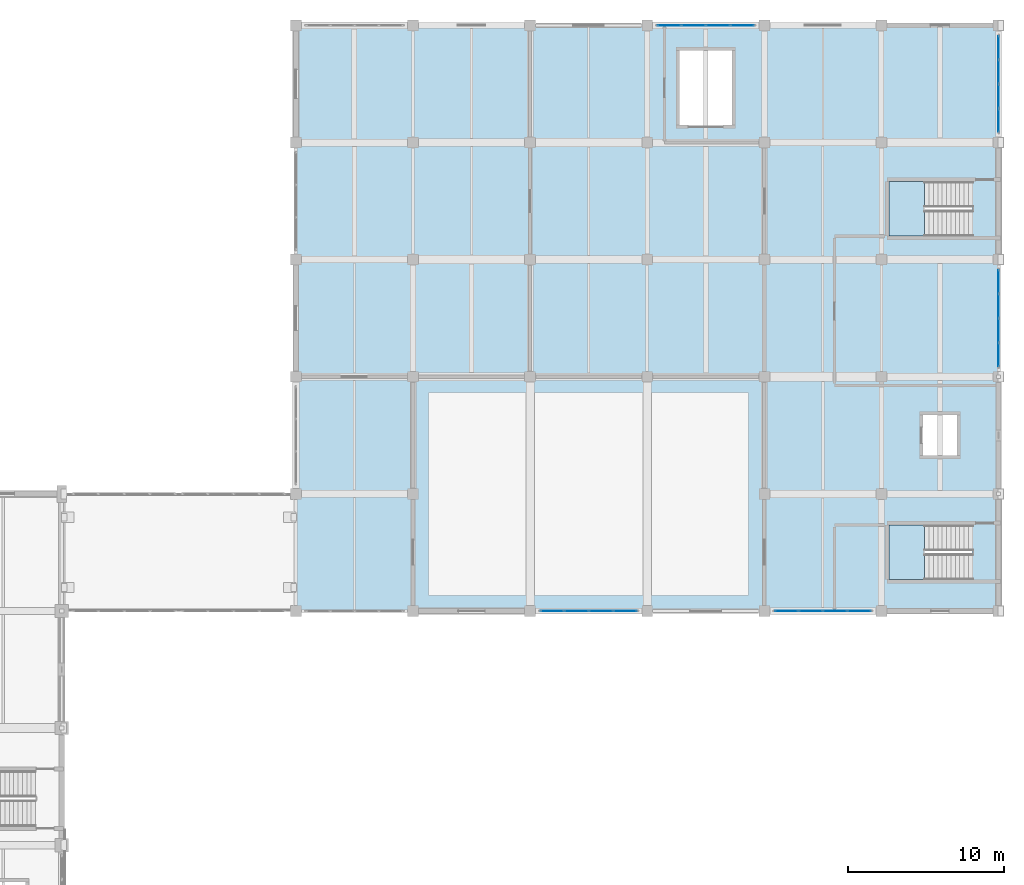
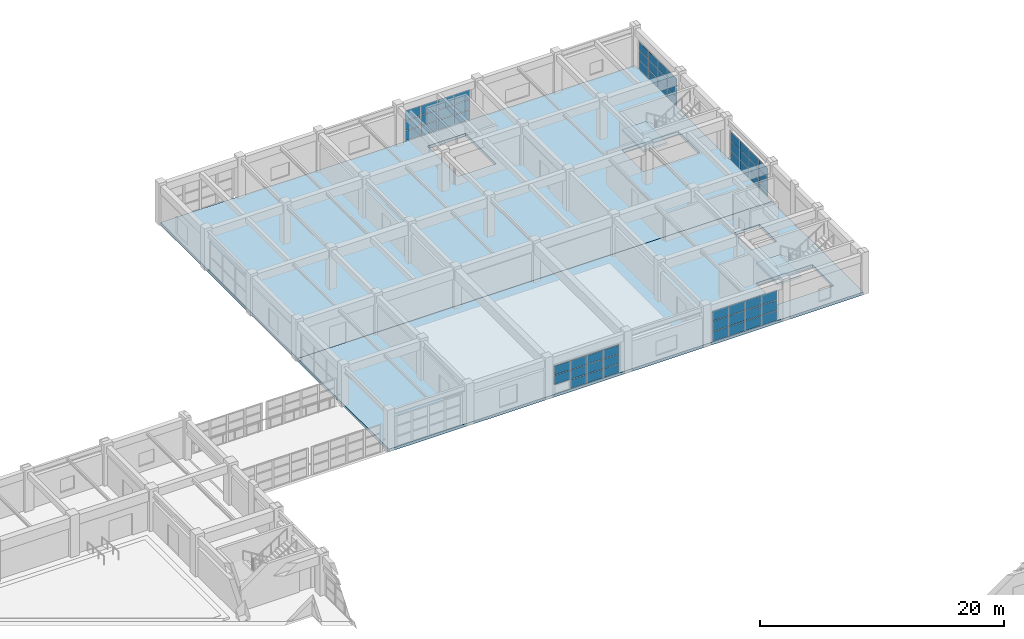
# One storey, part 92 of 132: 59 plates, 4 slabs, 7 elements without a shape of their own.
"""IFC4 building model written with IfcOpenShell, lengths in metres."""

from ifc_helpers import new_model, si_unit, direction, frame, origin, origin_2d, place, context, subcontext, project, spatial, polyline, rectangle, outline, extrude, material, layer, layer_set, type_object, element, aggregate, save


model = new_model("IFC4")

# Units and contexts
model_context = context("Model", 3, precision=1e-05, world=origin(), true_north=direction((0.0, 1.0)))
body_context = subcontext(model_context, "Body", "Model", "MODEL_VIEW")
ifc_project = project(units=[si_unit("LENGTHUNIT", "METRE"), si_unit("AREAUNIT", "SQUARE_METRE"), si_unit("VOLUMEUNIT", "CUBIC_METRE"), si_unit("PLANEANGLEUNIT", "RADIAN"), si_unit("MASSUNIT", "GRAM", prefix="KILO")], contexts=[model_context])

# Site, building, storey
site_placement = place(None, origin())
site = spatial("IfcSite", under=ifc_project, at=site_placement, CompositionType="ELEMENT")
building_placement = place(site_placement, origin())
building = spatial("IfcBuilding", under=site, at=building_placement, Name="Qasida Concert Hall", CompositionType="ELEMENT")
storey_placement = place(building_placement, frame((0.0, 0.0, 4.800048828125)))
storey = spatial("IfcBuildingStorey", under=building, at=storey_placement, Name="L01", CompositionType="ELEMENT", Elevation=4.800048828125)

# Curtain wall, plates
ifc_material_1 = material(Name="Architectural bronze-anodized aluminium and low-E glass", Category="aluminium")
curtain_wall_type_1 = type_object("IfcCurtainWallType", Name="CW-03", PredefinedType="NOTDEFINED", material=ifc_material_1)
curtain_wall_1_placement = place(storey_placement, origin())
curtain_wall_1 = element("IfcCurtainWall", 1, at=curtain_wall_1_placement, inside=storey, type_object=curtain_wall_type_1, Name="L01 curtain wall CW-03 0162", PredefinedType="NOTDEFINED")
ifc_material_2 = material(Name="Solar-control low-E double glazing", Category="glass")
ifc_layer_1 = layer(ifc_material_2, 0.031982421875, Name="Solar-control low-E double glazing")
ifc_layer_set_1 = layer_set([ifc_layer_1], Name="Solar-control low-E double glazing")
plate_type = type_object("IfcPlateType", Name="PLT-CWP-2", PredefinedType="CURTAIN_PANEL", material=ifc_layer_set_1)
plate_1_placement = place(storey_placement, frame((136.418701171875, 75.0, 0.993408203125), z_axis=(0.0, 0.0, 1.0), x_axis=(1.0, 0.0, 0.0)))
plate_1 = element("IfcPlate", 2, at=plate_1_placement, type_object=plate_type, Name="CW-03 panel 1.2", PredefinedType="CURTAIN_PANEL", context=body_context, shape_type="SweptSolid", body=[
    extrude(rectangle(XDim=1.467529296875, YDim=0.031982421875, at=origin_2d()), origin(), (0.0, 0.0, 1.0), 0.9033203125),
])
plate_2_placement = place(storey_placement, frame((136.418701171875, 75.0, 1.95654296875), z_axis=(0.0, 0.0, 1.0), x_axis=(1.0, 0.0, 0.0)))
plate_2 = element("IfcPlate", 3, at=plate_2_placement, type_object=plate_type, Name="CW-03 panel 1.3", PredefinedType="CURTAIN_PANEL", context=body_context, shape_type="SweptSolid", body=[
    extrude(rectangle(XDim=1.467529296875, YDim=0.031982421875, at=origin_2d()), origin(), (0.0, 0.0, 1.0), 0.873291015625),
])
plate_3_placement = place(storey_placement, frame((137.967529296875, 75.0, 0.06005859375), z_axis=(0.0, 0.0, 1.0), x_axis=(1.0, 0.0, 0.0)))
plate_3 = element("IfcPlate", 4, at=plate_3_placement, type_object=plate_type, Name="CW-03 panel 2.1", PredefinedType="CURTAIN_PANEL", context=body_context, shape_type="SweptSolid", body=[
    extrude(rectangle(XDim=1.5, YDim=0.031982421875, at=origin_2d()), origin(), (0.0, 0.0, 1.0), 0.873291015625),
])
plate_4_placement = place(storey_placement, frame((137.967529296875, 75.0, 0.993408203125), z_axis=(0.0, 0.0, 1.0), x_axis=(1.0, 0.0, 0.0)))
plate_4 = element("IfcPlate", 5, at=plate_4_placement, type_object=plate_type, Name="CW-03 panel 2.2", PredefinedType="CURTAIN_PANEL", context=body_context, shape_type="SweptSolid", body=[
    extrude(rectangle(XDim=1.5, YDim=0.031982421875, at=origin_2d()), origin(), (0.0, 0.0, 1.0), 0.9033203125),
])
plate_5_placement = place(storey_placement, frame((137.967529296875, 75.0, 1.95654296875), z_axis=(0.0, 0.0, 1.0), x_axis=(1.0, 0.0, 0.0)))
plate_5 = element("IfcPlate", 6, at=plate_5_placement, type_object=plate_type, Name="CW-03 panel 2.3", PredefinedType="CURTAIN_PANEL", context=body_context, shape_type="SweptSolid", body=[
    extrude(rectangle(XDim=1.5, YDim=0.031982421875, at=origin_2d()), origin(), (0.0, 0.0, 1.0), 0.873291015625),
])
plate_6_placement = place(storey_placement, frame((139.532470703125, 75.0, 0.06005859375), z_axis=(0.0, 0.0, 1.0), x_axis=(1.0, 0.0, 0.0)))
plate_6 = element("IfcPlate", 7, at=plate_6_placement, type_object=plate_type, Name="CW-03 panel 3.1", PredefinedType="CURTAIN_PANEL", context=body_context, shape_type="SweptSolid", body=[
    extrude(rectangle(XDim=1.5, YDim=0.031982421875, at=origin_2d()), origin(), (0.0, 0.0, 1.0), 0.873291015625),
])
plate_7_placement = place(storey_placement, frame((139.532470703125, 75.0, 0.993408203125), z_axis=(0.0, 0.0, 1.0), x_axis=(1.0, 0.0, 0.0)))
plate_7 = element("IfcPlate", 8, at=plate_7_placement, type_object=plate_type, Name="CW-03 panel 3.2", PredefinedType="CURTAIN_PANEL", context=body_context, shape_type="SweptSolid", body=[
    extrude(rectangle(XDim=1.5, YDim=0.031982421875, at=origin_2d()), origin(), (0.0, 0.0, 1.0), 0.9033203125),
])
plate_8_placement = place(storey_placement, frame((139.532470703125, 75.0, 1.95654296875), z_axis=(0.0, 0.0, 1.0), x_axis=(1.0, 0.0, 0.0)))
plate_8 = element("IfcPlate", 9, at=plate_8_placement, type_object=plate_type, Name="CW-03 panel 3.3", PredefinedType="CURTAIN_PANEL", context=body_context, shape_type="SweptSolid", body=[
    extrude(rectangle(XDim=1.5, YDim=0.031982421875, at=origin_2d()), origin(), (0.0, 0.0, 1.0), 0.873291015625),
])
plate_9_placement = place(storey_placement, frame((141.081298828125, 75.0, 0.06005859375), z_axis=(0.0, 0.0, 1.0), x_axis=(1.0, 0.0, 0.0)))
plate_9 = element("IfcPlate", 10, at=plate_9_placement, type_object=plate_type, Name="CW-03 panel 4.1", PredefinedType="CURTAIN_PANEL", context=body_context, shape_type="SweptSolid", body=[
    extrude(rectangle(XDim=1.467529296875, YDim=0.031982421875, at=origin_2d()), origin(), (0.0, 0.0, 1.0), 0.873291015625),
])
plate_10_placement = place(storey_placement, frame((141.081298828125, 75.0, 0.993408203125), z_axis=(0.0, 0.0, 1.0), x_axis=(1.0, 0.0, 0.0)))
plate_10 = element("IfcPlate", 11, at=plate_10_placement, type_object=plate_type, Name="CW-03 panel 4.2", PredefinedType="CURTAIN_PANEL", context=body_context, shape_type="SweptSolid", body=[
    extrude(rectangle(XDim=1.467529296875, YDim=0.031982421875, at=origin_2d()), origin(), (0.0, 0.0, 1.0), 0.9033203125),
])
plate_11_placement = place(storey_placement, frame((141.081298828125, 75.0, 1.95654296875), z_axis=(0.0, 0.0, 1.0), x_axis=(1.0, 0.0, 0.0)))
plate_11 = element("IfcPlate", 12, at=plate_11_placement, type_object=plate_type, Name="CW-03 panel 4.3", PredefinedType="CURTAIN_PANEL", context=body_context, shape_type="SweptSolid", body=[
    extrude(rectangle(XDim=1.467529296875, YDim=0.031982421875, at=origin_2d()), origin(), (0.0, 0.0, 1.0), 0.873291015625),
])
aggregate(curtain_wall_1, [plate_1, plate_2, plate_3, plate_4, plate_5, plate_6, plate_7, plate_8, plate_9, plate_10, plate_11])

curtain_wall_type_2 = type_object("IfcCurtainWallType", Name="CW-04", PredefinedType="NOTDEFINED", material=ifc_material_1)
curtain_wall_2_placement = place(storey_placement, origin())
curtain_wall_2 = element("IfcCurtainWall", 13, at=curtain_wall_2_placement, inside=storey, type_object=curtain_wall_type_2, Name="L01 curtain wall CW-04 0163", PredefinedType="NOTDEFINED")
plate_12_placement = place(storey_placement, frame((143.918701171875, 112.5, 0.06005859375), z_axis=(0.0, 0.0, 1.0), x_axis=(1.0, 0.0, 0.0)))
plate_12 = element("IfcPlate", 14, at=plate_12_placement, type_object=plate_type, Name="CW-04 panel 1.1", PredefinedType="CURTAIN_PANEL", context=body_context, shape_type="SweptSolid", body=[
    extrude(rectangle(XDim=1.467529296875, YDim=0.031982421875, at=origin_2d()), origin(), (0.0, 0.0, 1.0), 0.956787109375),
])
plate_13_placement = place(storey_placement, frame((143.918701171875, 112.5, 1.07666015625), z_axis=(0.0, 0.0, 1.0), x_axis=(1.0, 0.0, 0.0)))
plate_13 = element("IfcPlate", 15, at=plate_13_placement, type_object=plate_type, Name="CW-04 panel 1.2", PredefinedType="CURTAIN_PANEL", context=body_context, shape_type="SweptSolid", body=[
    extrude(rectangle(XDim=1.467529296875, YDim=0.031982421875, at=origin_2d()), origin(), (0.0, 0.0, 1.0), 0.986572265625),
])
plate_14_placement = place(storey_placement, frame((143.918701171875, 112.5, 2.123046875), z_axis=(0.0, 0.0, 1.0), x_axis=(1.0, 0.0, 0.0)))
plate_14 = element("IfcPlate", 16, at=plate_14_placement, type_object=plate_type, Name="CW-04 panel 1.3", PredefinedType="CURTAIN_PANEL", context=body_context, shape_type="SweptSolid", body=[
    extrude(rectangle(XDim=1.467529296875, YDim=0.031982421875, at=origin_2d()), origin(), (0.0, 0.0, 1.0), 0.956787109375),
])
plate_15_placement = place(storey_placement, frame((145.467529296875, 112.5, 0.06005859375), z_axis=(0.0, 0.0, 1.0), x_axis=(1.0, 0.0, 0.0)))
plate_15 = element("IfcPlate", 17, at=plate_15_placement, type_object=plate_type, Name="CW-04 panel 2.1", PredefinedType="CURTAIN_PANEL", context=body_context, shape_type="SweptSolid", body=[
    extrude(rectangle(XDim=1.5, YDim=0.031982421875, at=origin_2d()), origin(), (0.0, 0.0, 1.0), 0.956787109375),
])
plate_16_placement = place(storey_placement, frame((145.467529296875, 112.5, 1.07666015625), z_axis=(0.0, 0.0, 1.0), x_axis=(1.0, 0.0, 0.0)))
plate_16 = element("IfcPlate", 18, at=plate_16_placement, type_object=plate_type, Name="CW-04 panel 2.2", PredefinedType="CURTAIN_PANEL", context=body_context, shape_type="SweptSolid", body=[
    extrude(rectangle(XDim=1.5, YDim=0.031982421875, at=origin_2d()), origin(), (0.0, 0.0, 1.0), 0.986572265625),
])
plate_17_placement = place(storey_placement, frame((145.467529296875, 112.5, 2.123046875), z_axis=(0.0, 0.0, 1.0), x_axis=(1.0, 0.0, 0.0)))
plate_17 = element("IfcPlate", 19, at=plate_17_placement, type_object=plate_type, Name="CW-04 panel 2.3", PredefinedType="CURTAIN_PANEL", context=body_context, shape_type="SweptSolid", body=[
    extrude(rectangle(XDim=1.5, YDim=0.031982421875, at=origin_2d()), origin(), (0.0, 0.0, 1.0), 0.956787109375),
])
plate_18_placement = place(storey_placement, frame((147.032470703125, 112.5, 0.06005859375), z_axis=(0.0, 0.0, 1.0), x_axis=(1.0, 0.0, 0.0)))
plate_18 = element("IfcPlate", 20, at=plate_18_placement, type_object=plate_type, Name="CW-04 panel 3.1", PredefinedType="CURTAIN_PANEL", context=body_context, shape_type="SweptSolid", body=[
    extrude(rectangle(XDim=1.5, YDim=0.031982421875, at=origin_2d()), origin(), (0.0, 0.0, 1.0), 0.956787109375),
])
plate_19_placement = place(storey_placement, frame((147.032470703125, 112.5, 1.07666015625), z_axis=(0.0, 0.0, 1.0), x_axis=(1.0, 0.0, 0.0)))
plate_19 = element("IfcPlate", 21, at=plate_19_placement, type_object=plate_type, Name="CW-04 panel 3.2", PredefinedType="CURTAIN_PANEL", context=body_context, shape_type="SweptSolid", body=[
    extrude(rectangle(XDim=1.5, YDim=0.031982421875, at=origin_2d()), origin(), (0.0, 0.0, 1.0), 0.986572265625),
])
plate_20_placement = place(storey_placement, frame((147.032470703125, 112.5, 2.123046875), z_axis=(0.0, 0.0, 1.0), x_axis=(1.0, 0.0, 0.0)))
plate_20 = element("IfcPlate", 22, at=plate_20_placement, type_object=plate_type, Name="CW-04 panel 3.3", PredefinedType="CURTAIN_PANEL", context=body_context, shape_type="SweptSolid", body=[
    extrude(rectangle(XDim=1.5, YDim=0.031982421875, at=origin_2d()), origin(), (0.0, 0.0, 1.0), 0.956787109375),
])
plate_21_placement = place(storey_placement, frame((148.581298828125, 112.5, 0.06005859375), z_axis=(0.0, 0.0, 1.0), x_axis=(1.0, 0.0, 0.0)))
plate_21 = element("IfcPlate", 23, at=plate_21_placement, type_object=plate_type, Name="CW-04 panel 4.1", PredefinedType="CURTAIN_PANEL", context=body_context, shape_type="SweptSolid", body=[
    extrude(rectangle(XDim=1.467529296875, YDim=0.031982421875, at=origin_2d()), origin(), (0.0, 0.0, 1.0), 0.956787109375),
])
plate_22_placement = place(storey_placement, frame((148.581298828125, 112.5, 1.07666015625), z_axis=(0.0, 0.0, 1.0), x_axis=(1.0, 0.0, 0.0)))
plate_22 = element("IfcPlate", 24, at=plate_22_placement, type_object=plate_type, Name="CW-04 panel 4.2", PredefinedType="CURTAIN_PANEL", context=body_context, shape_type="SweptSolid", body=[
    extrude(rectangle(XDim=1.467529296875, YDim=0.031982421875, at=origin_2d()), origin(), (0.0, 0.0, 1.0), 0.986572265625),
])
plate_23_placement = place(storey_placement, frame((148.581298828125, 112.5, 2.123046875), z_axis=(0.0, 0.0, 1.0), x_axis=(1.0, 0.0, 0.0)))
plate_23 = element("IfcPlate", 25, at=plate_23_placement, type_object=plate_type, Name="CW-04 panel 4.3", PredefinedType="CURTAIN_PANEL", context=body_context, shape_type="SweptSolid", body=[
    extrude(rectangle(XDim=1.467529296875, YDim=0.031982421875, at=origin_2d()), origin(), (0.0, 0.0, 1.0), 0.956787109375),
])
aggregate(curtain_wall_2, [plate_12, plate_13, plate_14, plate_15, plate_16, plate_17, plate_18, plate_19, plate_20, plate_21, plate_22, plate_23])

curtain_wall_3_placement = place(storey_placement, origin())
curtain_wall_3 = element("IfcCurtainWall", 26, at=curtain_wall_3_placement, inside=storey, type_object=curtain_wall_type_1, Name="L01 curtain wall CW-03 0164", PredefinedType="NOTDEFINED")
plate_24_placement = place(storey_placement, frame((151.418701171875, 75.0, 0.06005859375), z_axis=(0.0, 0.0, 1.0), x_axis=(1.0, 0.0, 0.0)))
plate_24 = element("IfcPlate", 27, at=plate_24_placement, type_object=plate_type, Name="CW-03 panel 1.1", PredefinedType="CURTAIN_PANEL", context=body_context, shape_type="SweptSolid", body=[
    extrude(rectangle(XDim=1.467529296875, YDim=0.031982421875, at=origin_2d()), origin(), (0.0, 0.0, 1.0), 0.956787109375),
])
plate_25_placement = place(storey_placement, frame((151.418701171875, 75.0, 1.07666015625), z_axis=(0.0, 0.0, 1.0), x_axis=(1.0, 0.0, 0.0)))
plate_25 = element("IfcPlate", 28, at=plate_25_placement, type_object=plate_type, Name="CW-03 panel 1.2", PredefinedType="CURTAIN_PANEL", context=body_context, shape_type="SweptSolid", body=[
    extrude(rectangle(XDim=1.467529296875, YDim=0.031982421875, at=origin_2d()), origin(), (0.0, 0.0, 1.0), 0.986572265625),
])
plate_26_placement = place(storey_placement, frame((151.418701171875, 75.0, 2.123046875), z_axis=(0.0, 0.0, 1.0), x_axis=(1.0, 0.0, 0.0)))
plate_26 = element("IfcPlate", 29, at=plate_26_placement, type_object=plate_type, Name="CW-03 panel 1.3", PredefinedType="CURTAIN_PANEL", context=body_context, shape_type="SweptSolid", body=[
    extrude(rectangle(XDim=1.467529296875, YDim=0.031982421875, at=origin_2d()), origin(), (0.0, 0.0, 1.0), 0.956787109375),
])
plate_27_placement = place(storey_placement, frame((152.967529296875, 75.0, 0.06005859375), z_axis=(0.0, 0.0, 1.0), x_axis=(1.0, 0.0, 0.0)))
plate_27 = element("IfcPlate", 30, at=plate_27_placement, type_object=plate_type, Name="CW-03 panel 2.1", PredefinedType="CURTAIN_PANEL", context=body_context, shape_type="SweptSolid", body=[
    extrude(rectangle(XDim=1.5, YDim=0.031982421875, at=origin_2d()), origin(), (0.0, 0.0, 1.0), 0.956787109375),
])
plate_28_placement = place(storey_placement, frame((152.967529296875, 75.0, 1.07666015625), z_axis=(0.0, 0.0, 1.0), x_axis=(1.0, 0.0, 0.0)))
plate_28 = element("IfcPlate", 31, at=plate_28_placement, type_object=plate_type, Name="CW-03 panel 2.2", PredefinedType="CURTAIN_PANEL", context=body_context, shape_type="SweptSolid", body=[
    extrude(rectangle(XDim=1.5, YDim=0.031982421875, at=origin_2d()), origin(), (0.0, 0.0, 1.0), 0.986572265625),
])
plate_29_placement = place(storey_placement, frame((152.967529296875, 75.0, 2.123046875), z_axis=(0.0, 0.0, 1.0), x_axis=(1.0, 0.0, 0.0)))
plate_29 = element("IfcPlate", 32, at=plate_29_placement, type_object=plate_type, Name="CW-03 panel 2.3", PredefinedType="CURTAIN_PANEL", context=body_context, shape_type="SweptSolid", body=[
    extrude(rectangle(XDim=1.5, YDim=0.031982421875, at=origin_2d()), origin(), (0.0, 0.0, 1.0), 0.956787109375),
])
plate_30_placement = place(storey_placement, frame((154.532470703125, 75.0, 0.06005859375), z_axis=(0.0, 0.0, 1.0), x_axis=(1.0, 0.0, 0.0)))
plate_30 = element("IfcPlate", 33, at=plate_30_placement, type_object=plate_type, Name="CW-03 panel 3.1", PredefinedType="CURTAIN_PANEL", context=body_context, shape_type="SweptSolid", body=[
    extrude(rectangle(XDim=1.5, YDim=0.031982421875, at=origin_2d()), origin(), (0.0, 0.0, 1.0), 0.956787109375),
])
plate_31_placement = place(storey_placement, frame((154.532470703125, 75.0, 1.07666015625), z_axis=(0.0, 0.0, 1.0), x_axis=(1.0, 0.0, 0.0)))
plate_31 = element("IfcPlate", 34, at=plate_31_placement, type_object=plate_type, Name="CW-03 panel 3.2", PredefinedType="CURTAIN_PANEL", context=body_context, shape_type="SweptSolid", body=[
    extrude(rectangle(XDim=1.5, YDim=0.031982421875, at=origin_2d()), origin(), (0.0, 0.0, 1.0), 0.986572265625),
])
plate_32_placement = place(storey_placement, frame((154.532470703125, 75.0, 2.123046875), z_axis=(0.0, 0.0, 1.0), x_axis=(1.0, 0.0, 0.0)))
plate_32 = element("IfcPlate", 35, at=plate_32_placement, type_object=plate_type, Name="CW-03 panel 3.3", PredefinedType="CURTAIN_PANEL", context=body_context, shape_type="SweptSolid", body=[
    extrude(rectangle(XDim=1.5, YDim=0.031982421875, at=origin_2d()), origin(), (0.0, 0.0, 1.0), 0.956787109375),
])
plate_33_placement = place(storey_placement, frame((156.081298828125, 75.0, 0.06005859375), z_axis=(0.0, 0.0, 1.0), x_axis=(1.0, 0.0, 0.0)))
plate_33 = element("IfcPlate", 36, at=plate_33_placement, type_object=plate_type, Name="CW-03 panel 4.1", PredefinedType="CURTAIN_PANEL", context=body_context, shape_type="SweptSolid", body=[
    extrude(rectangle(XDim=1.467529296875, YDim=0.031982421875, at=origin_2d()), origin(), (0.0, 0.0, 1.0), 0.956787109375),
])
plate_34_placement = place(storey_placement, frame((156.081298828125, 75.0, 1.07666015625), z_axis=(0.0, 0.0, 1.0), x_axis=(1.0, 0.0, 0.0)))
plate_34 = element("IfcPlate", 37, at=plate_34_placement, type_object=plate_type, Name="CW-03 panel 4.2", PredefinedType="CURTAIN_PANEL", context=body_context, shape_type="SweptSolid", body=[
    extrude(rectangle(XDim=1.467529296875, YDim=0.031982421875, at=origin_2d()), origin(), (0.0, 0.0, 1.0), 0.986572265625),
])
plate_35_placement = place(storey_placement, frame((156.081298828125, 75.0, 2.123046875), z_axis=(0.0, 0.0, 1.0), x_axis=(1.0, 0.0, 0.0)))
plate_35 = element("IfcPlate", 38, at=plate_35_placement, type_object=plate_type, Name="CW-03 panel 4.3", PredefinedType="CURTAIN_PANEL", context=body_context, shape_type="SweptSolid", body=[
    extrude(rectangle(XDim=1.467529296875, YDim=0.031982421875, at=origin_2d()), origin(), (0.0, 0.0, 1.0), 0.956787109375),
])
aggregate(curtain_wall_3, [plate_24, plate_25, plate_26, plate_27, plate_28, plate_29, plate_30, plate_31, plate_32, plate_33, plate_34, plate_35])

curtain_wall_type_3 = type_object("IfcCurtainWallType", Name="CW-11", PredefinedType="NOTDEFINED", material=ifc_material_1)
curtain_wall_4_placement = place(storey_placement, origin())
curtain_wall_4 = element("IfcCurtainWall", 39, at=curtain_wall_4_placement, inside=storey, type_object=curtain_wall_type_3, Name="L01 curtain wall CW-11 0166", PredefinedType="NOTDEFINED")
plate_36_placement = place(storey_placement, frame((165.0, 91.418701171875, 0.06005859375), z_axis=(0.0, 0.0, 1.0), x_axis=(0.0, 1.0, 0.0)))
plate_36 = element("IfcPlate", 40, at=plate_36_placement, type_object=plate_type, Name="CW-11 panel 1.1", PredefinedType="CURTAIN_PANEL", context=body_context, shape_type="SweptSolid", body=[
    extrude(rectangle(XDim=1.467529296875, YDim=0.031982421875, at=origin_2d()), origin(), (0.0, 0.0, 1.0), 0.889892578125),
])
plate_37_placement = place(storey_placement, frame((165.0, 91.418701171875, 1.010009765625), z_axis=(0.0, 0.0, 1.0), x_axis=(0.0, 1.0, 0.0)))
plate_37 = element("IfcPlate", 41, at=plate_37_placement, type_object=plate_type, Name="CW-11 panel 1.2", PredefinedType="CURTAIN_PANEL", context=body_context, shape_type="SweptSolid", body=[
    extrude(rectangle(XDim=1.467529296875, YDim=0.031982421875, at=origin_2d()), origin(), (0.0, 0.0, 1.0), 0.919921875),
])
plate_38_placement = place(storey_placement, frame((165.0, 91.418701171875, 1.990234375), z_axis=(0.0, 0.0, 1.0), x_axis=(0.0, 1.0, 0.0)))
plate_38 = element("IfcPlate", 42, at=plate_38_placement, type_object=plate_type, Name="CW-11 panel 1.3", PredefinedType="CURTAIN_PANEL", context=body_context, shape_type="SweptSolid", body=[
    extrude(rectangle(XDim=1.467529296875, YDim=0.031982421875, at=origin_2d()), origin(), (0.0, 0.0, 1.0), 0.889892578125),
])
plate_39_placement = place(storey_placement, frame((165.0, 92.967529296875, 0.06005859375), z_axis=(0.0, 0.0, 1.0), x_axis=(0.0, 1.0, 0.0)))
plate_39 = element("IfcPlate", 43, at=plate_39_placement, type_object=plate_type, Name="CW-11 panel 2.1", PredefinedType="CURTAIN_PANEL", context=body_context, shape_type="SweptSolid", body=[
    extrude(rectangle(XDim=1.5, YDim=0.031982421875, at=origin_2d()), origin(), (0.0, 0.0, 1.0), 0.889892578125),
])
plate_40_placement = place(storey_placement, frame((165.0, 92.967529296875, 1.010009765625), z_axis=(0.0, 0.0, 1.0), x_axis=(0.0, 1.0, 0.0)))
plate_40 = element("IfcPlate", 44, at=plate_40_placement, type_object=plate_type, Name="CW-11 panel 2.2", PredefinedType="CURTAIN_PANEL", context=body_context, shape_type="SweptSolid", body=[
    extrude(rectangle(XDim=1.5, YDim=0.031982421875, at=origin_2d()), origin(), (0.0, 0.0, 1.0), 0.919921875),
])
plate_41_placement = place(storey_placement, frame((165.0, 92.967529296875, 1.990234375), z_axis=(0.0, 0.0, 1.0), x_axis=(0.0, 1.0, 0.0)))
plate_41 = element("IfcPlate", 45, at=plate_41_placement, type_object=plate_type, Name="CW-11 panel 2.3", PredefinedType="CURTAIN_PANEL", context=body_context, shape_type="SweptSolid", body=[
    extrude(rectangle(XDim=1.5, YDim=0.031982421875, at=origin_2d()), origin(), (0.0, 0.0, 1.0), 0.889892578125),
])
plate_42_placement = place(storey_placement, frame((165.0, 94.532470703125, 0.06005859375), z_axis=(0.0, 0.0, 1.0), x_axis=(0.0, 1.0, 0.0)))
plate_42 = element("IfcPlate", 46, at=plate_42_placement, type_object=plate_type, Name="CW-11 panel 3.1", PredefinedType="CURTAIN_PANEL", context=body_context, shape_type="SweptSolid", body=[
    extrude(rectangle(XDim=1.5, YDim=0.031982421875, at=origin_2d()), origin(), (0.0, 0.0, 1.0), 0.889892578125),
])
plate_43_placement = place(storey_placement, frame((165.0, 94.532470703125, 1.010009765625), z_axis=(0.0, 0.0, 1.0), x_axis=(0.0, 1.0, 0.0)))
plate_43 = element("IfcPlate", 47, at=plate_43_placement, type_object=plate_type, Name="CW-11 panel 3.2", PredefinedType="CURTAIN_PANEL", context=body_context, shape_type="SweptSolid", body=[
    extrude(rectangle(XDim=1.5, YDim=0.031982421875, at=origin_2d()), origin(), (0.0, 0.0, 1.0), 0.919921875),
])
plate_44_placement = place(storey_placement, frame((165.0, 94.532470703125, 1.990234375), z_axis=(0.0, 0.0, 1.0), x_axis=(0.0, 1.0, 0.0)))
plate_44 = element("IfcPlate", 48, at=plate_44_placement, type_object=plate_type, Name="CW-11 panel 3.3", PredefinedType="CURTAIN_PANEL", context=body_context, shape_type="SweptSolid", body=[
    extrude(rectangle(XDim=1.5, YDim=0.031982421875, at=origin_2d()), origin(), (0.0, 0.0, 1.0), 0.889892578125),
])
plate_45_placement = place(storey_placement, frame((165.0, 96.081298828125, 0.06005859375), z_axis=(0.0, 0.0, 1.0), x_axis=(0.0, 1.0, 0.0)))
plate_45 = element("IfcPlate", 49, at=plate_45_placement, type_object=plate_type, Name="CW-11 panel 4.1", PredefinedType="CURTAIN_PANEL", context=body_context, shape_type="SweptSolid", body=[
    extrude(rectangle(XDim=1.467529296875, YDim=0.031982421875, at=origin_2d()), origin(), (0.0, 0.0, 1.0), 0.889892578125),
])
plate_46_placement = place(storey_placement, frame((165.0, 96.081298828125, 1.010009765625), z_axis=(0.0, 0.0, 1.0), x_axis=(0.0, 1.0, 0.0)))
plate_46 = element("IfcPlate", 50, at=plate_46_placement, type_object=plate_type, Name="CW-11 panel 4.2", PredefinedType="CURTAIN_PANEL", context=body_context, shape_type="SweptSolid", body=[
    extrude(rectangle(XDim=1.467529296875, YDim=0.031982421875, at=origin_2d()), origin(), (0.0, 0.0, 1.0), 0.919921875),
])
plate_47_placement = place(storey_placement, frame((165.0, 96.081298828125, 1.990234375), z_axis=(0.0, 0.0, 1.0), x_axis=(0.0, 1.0, 0.0)))
plate_47 = element("IfcPlate", 51, at=plate_47_placement, type_object=plate_type, Name="CW-11 panel 4.3", PredefinedType="CURTAIN_PANEL", context=body_context, shape_type="SweptSolid", body=[
    extrude(rectangle(XDim=1.467529296875, YDim=0.031982421875, at=origin_2d()), origin(), (0.0, 0.0, 1.0), 0.889892578125),
])
aggregate(curtain_wall_4, [plate_36, plate_37, plate_38, plate_39, plate_40, plate_41, plate_42, plate_43, plate_44, plate_45, plate_46, plate_47])

curtain_wall_5_placement = place(storey_placement, origin())
curtain_wall_5 = element("IfcCurtainWall", 52, at=curtain_wall_5_placement, inside=storey, type_object=curtain_wall_type_3, Name="L01 curtain wall CW-11 0168", PredefinedType="NOTDEFINED")
plate_48_placement = place(storey_placement, frame((165.0, 106.418701171875, 0.06005859375), z_axis=(0.0, 0.0, 1.0), x_axis=(0.0, 1.0, 0.0)))
plate_48 = element("IfcPlate", 53, at=plate_48_placement, type_object=plate_type, Name="CW-11 panel 1.1", PredefinedType="CURTAIN_PANEL", context=body_context, shape_type="SweptSolid", body=[
    extrude(rectangle(XDim=1.467529296875, YDim=0.031982421875, at=origin_2d()), origin(), (0.0, 0.0, 1.0), 0.856689453125),
])
plate_49_placement = place(storey_placement, frame((165.0, 106.418701171875, 0.9765625), z_axis=(0.0, 0.0, 1.0), x_axis=(0.0, 1.0, 0.0)))
plate_49 = element("IfcPlate", 54, at=plate_49_placement, type_object=plate_type, Name="CW-11 panel 1.2", PredefinedType="CURTAIN_PANEL", context=body_context, shape_type="SweptSolid", body=[
    extrude(rectangle(XDim=1.467529296875, YDim=0.031982421875, at=origin_2d()), origin(), (0.0, 0.0, 1.0), 0.88671875),
])
plate_50_placement = place(storey_placement, frame((165.0, 106.418701171875, 1.92333984375), z_axis=(0.0, 0.0, 1.0), x_axis=(0.0, 1.0, 0.0)))
plate_50 = element("IfcPlate", 55, at=plate_50_placement, type_object=plate_type, Name="CW-11 panel 1.3", PredefinedType="CURTAIN_PANEL", context=body_context, shape_type="SweptSolid", body=[
    extrude(rectangle(XDim=1.467529296875, YDim=0.031982421875, at=origin_2d()), origin(), (0.0, 0.0, 1.0), 0.856689453125),
])
plate_51_placement = place(storey_placement, frame((165.0, 107.967529296875, 0.06005859375), z_axis=(0.0, 0.0, 1.0), x_axis=(0.0, 1.0, 0.0)))
plate_51 = element("IfcPlate", 56, at=plate_51_placement, type_object=plate_type, Name="CW-11 panel 2.1", PredefinedType="CURTAIN_PANEL", context=body_context, shape_type="SweptSolid", body=[
    extrude(rectangle(XDim=1.5, YDim=0.031982421875, at=origin_2d()), origin(), (0.0, 0.0, 1.0), 0.856689453125),
])
plate_52_placement = place(storey_placement, frame((165.0, 107.967529296875, 0.9765625), z_axis=(0.0, 0.0, 1.0), x_axis=(0.0, 1.0, 0.0)))
plate_52 = element("IfcPlate", 57, at=plate_52_placement, type_object=plate_type, Name="CW-11 panel 2.2", PredefinedType="CURTAIN_PANEL", context=body_context, shape_type="SweptSolid", body=[
    extrude(rectangle(XDim=1.5, YDim=0.031982421875, at=origin_2d()), origin(), (0.0, 0.0, 1.0), 0.88671875),
])
plate_53_placement = place(storey_placement, frame((165.0, 107.967529296875, 1.92333984375), z_axis=(0.0, 0.0, 1.0), x_axis=(0.0, 1.0, 0.0)))
plate_53 = element("IfcPlate", 58, at=plate_53_placement, type_object=plate_type, Name="CW-11 panel 2.3", PredefinedType="CURTAIN_PANEL", context=body_context, shape_type="SweptSolid", body=[
    extrude(rectangle(XDim=1.5, YDim=0.031982421875, at=origin_2d()), origin(), (0.0, 0.0, 1.0), 0.856689453125),
])
plate_54_placement = place(storey_placement, frame((165.0, 109.532470703125, 0.06005859375), z_axis=(0.0, 0.0, 1.0), x_axis=(0.0, 1.0, 0.0)))
plate_54 = element("IfcPlate", 59, at=plate_54_placement, type_object=plate_type, Name="CW-11 panel 3.1", PredefinedType="CURTAIN_PANEL", context=body_context, shape_type="SweptSolid", body=[
    extrude(rectangle(XDim=1.5, YDim=0.031982421875, at=origin_2d()), origin(), (0.0, 0.0, 1.0), 0.856689453125),
])
plate_55_placement = place(storey_placement, frame((165.0, 109.532470703125, 0.9765625), z_axis=(0.0, 0.0, 1.0), x_axis=(0.0, 1.0, 0.0)))
plate_55 = element("IfcPlate", 60, at=plate_55_placement, type_object=plate_type, Name="CW-11 panel 3.2", PredefinedType="CURTAIN_PANEL", context=body_context, shape_type="SweptSolid", body=[
    extrude(rectangle(XDim=1.5, YDim=0.031982421875, at=origin_2d()), origin(), (0.0, 0.0, 1.0), 0.88671875),
])
plate_56_placement = place(storey_placement, frame((165.0, 109.532470703125, 1.92333984375), z_axis=(0.0, 0.0, 1.0), x_axis=(0.0, 1.0, 0.0)))
plate_56 = element("IfcPlate", 61, at=plate_56_placement, type_object=plate_type, Name="CW-11 panel 3.3", PredefinedType="CURTAIN_PANEL", context=body_context, shape_type="SweptSolid", body=[
    extrude(rectangle(XDim=1.5, YDim=0.031982421875, at=origin_2d()), origin(), (0.0, 0.0, 1.0), 0.856689453125),
])
plate_57_placement = place(storey_placement, frame((165.0, 111.081298828125, 0.06005859375), z_axis=(0.0, 0.0, 1.0), x_axis=(0.0, 1.0, 0.0)))
plate_57 = element("IfcPlate", 62, at=plate_57_placement, type_object=plate_type, Name="CW-11 panel 4.1", PredefinedType="CURTAIN_PANEL", context=body_context, shape_type="SweptSolid", body=[
    extrude(rectangle(XDim=1.467529296875, YDim=0.031982421875, at=origin_2d()), origin(), (0.0, 0.0, 1.0), 0.856689453125),
])
plate_58_placement = place(storey_placement, frame((165.0, 111.081298828125, 0.9765625), z_axis=(0.0, 0.0, 1.0), x_axis=(0.0, 1.0, 0.0)))
plate_58 = element("IfcPlate", 63, at=plate_58_placement, type_object=plate_type, Name="CW-11 panel 4.2", PredefinedType="CURTAIN_PANEL", context=body_context, shape_type="SweptSolid", body=[
    extrude(rectangle(XDim=1.467529296875, YDim=0.031982421875, at=origin_2d()), origin(), (0.0, 0.0, 1.0), 0.88671875),
])
plate_59_placement = place(storey_placement, frame((165.0, 111.081298828125, 1.92333984375), z_axis=(0.0, 0.0, 1.0), x_axis=(0.0, 1.0, 0.0)))
plate_59 = element("IfcPlate", 64, at=plate_59_placement, type_object=plate_type, Name="CW-11 panel 4.3", PredefinedType="CURTAIN_PANEL", context=body_context, shape_type="SweptSolid", body=[
    extrude(rectangle(XDim=1.467529296875, YDim=0.031982421875, at=origin_2d()), origin(), (0.0, 0.0, 1.0), 0.856689453125),
])
aggregate(curtain_wall_5, [plate_48, plate_49, plate_50, plate_51, plate_52, plate_53, plate_54, plate_55, plate_56, plate_57, plate_58, plate_59])

# Slabs
ifc_material_3 = material(Name="Concrete C40/50", Category="concrete")
ifc_layer_2 = layer(ifc_material_3, 0.280029296875, Name="Concrete C40/50")
ifc_layer_set_2 = layer_set([ifc_layer_2], Name="Concrete C40/50")
slab_type_1 = type_object("IfcSlabType", Name="SL-FS-280", PredefinedType="FLOOR", material=ifc_layer_set_2)
slab_1_placement = place(storey_placement, frame((0.0, 0.0, -0.280029296875)))
element("IfcSlab", 65, at=slab_1_placement, inside=storey, type_object=slab_type_1, Name="V4 orchestral rehearsal south (FS-280)", PredefinedType="FLOOR", context=body_context, shape_type="SweptSolid", body=[
    extrude(outline(polyline([(120.0, 75.0), (165.0, 75.0), (165.0, 90.0), (120.0, 90.0), (120.0, 75.0)]), holes=[polyline([(157.97998046875, 77.0), (163.340087890625, 77.0), (163.340087890625, 80.5), (157.97998046875, 80.5), (157.97998046875, 77.0)]), polyline([(160.050048828125, 84.85009765625), (162.449951171875, 84.85009765625), (162.449951171875, 87.64990234375), (160.050048828125, 87.64990234375), (160.050048828125, 84.85009765625)])]), origin(), (0.0, 0.0, 1.0), 0.280029296875),
])
slab_2_placement = place(storey_placement, frame((0.0, 0.0, -0.280029296875)))
element("IfcSlab", 66, at=slab_2_placement, inside=storey, type_object=slab_type_1, Name="V4 choral rehearsal north (FS-280)", PredefinedType="FLOOR", context=body_context, shape_type="SweptSolid", body=[
    extrude(outline(polyline([(120.0, 90.0), (165.0, 90.0), (165.0, 112.5), (120.0, 112.5), (120.0, 90.0)]), holes=[polyline([(157.97998046875, 99.0), (163.340087890625, 99.0), (163.340087890625, 102.5), (157.97998046875, 102.5), (157.97998046875, 99.0)]), polyline([(144.449951171875, 106.0), (148.050048828125, 106.0), (148.050048828125, 111.0), (144.449951171875, 111.0), (144.449951171875, 106.0)])]), origin(), (0.0, 0.0, 1.0), 0.280029296875),
])

# Stair, slab
stair_type = type_object("IfcStairType", Name="ST-DL-165", PredefinedType="HALF_TURN_STAIR", material=ifc_material_3)
stair_1_placement = place(storey_placement, origin())
stair_1 = element("IfcStair", 67, at=stair_1_placement, inside=storey, type_object=stair_type, Name="L01 Exit stair ST-07", PredefinedType="HALF_TURN_STAIR")
ifc_layer_3 = layer(ifc_material_3, 0.199951171875, Name="Concrete C40/50")
ifc_layer_set_3 = layer_set([ifc_layer_3], Name="Concrete C40/50")
slab_type_2 = type_object("IfcSlabType", Name="SL-LND-200", PredefinedType="LANDING", material=ifc_layer_set_3)
slab_3_placement = place(storey_placement, frame((0.0, 0.0, 1.89990234375)))
slab_3 = element("IfcSlab", 68, at=slab_3_placement, type_object=slab_type_2, Name="ST-07 landing 1", PredefinedType="LANDING", context=body_context, shape_type="SweptSolid", body=[
    extrude(outline(polyline([(160.27001953125, 80.5), (157.97998046875, 80.5), (157.97998046875, 77.0), (160.27001953125, 77.0), (160.27001953125, 80.5)])), origin(), (0.0, 0.0, 1.0), 0.199951171875),
])
aggregate(stair_1, [slab_3])

stair_2_placement = place(storey_placement, origin())
stair_2 = element("IfcStair", 69, at=stair_2_placement, inside=storey, type_object=stair_type, Name="L01 Exit stair ST-08", PredefinedType="HALF_TURN_STAIR")
slab_4_placement = place(storey_placement, frame((0.0, 0.0, 1.89990234375)))
slab_4 = element("IfcSlab", 70, at=slab_4_placement, type_object=slab_type_2, Name="ST-08 landing 1", PredefinedType="LANDING", context=body_context, shape_type="SweptSolid", body=[
    extrude(outline(polyline([(160.27001953125, 102.5), (157.97998046875, 102.5), (157.97998046875, 99.0), (160.27001953125, 99.0), (160.27001953125, 102.5)])), origin(), (0.0, 0.0, 1.0), 0.199951171875),
])
aggregate(stair_2, [slab_4])

save(model, "model.ifc")
